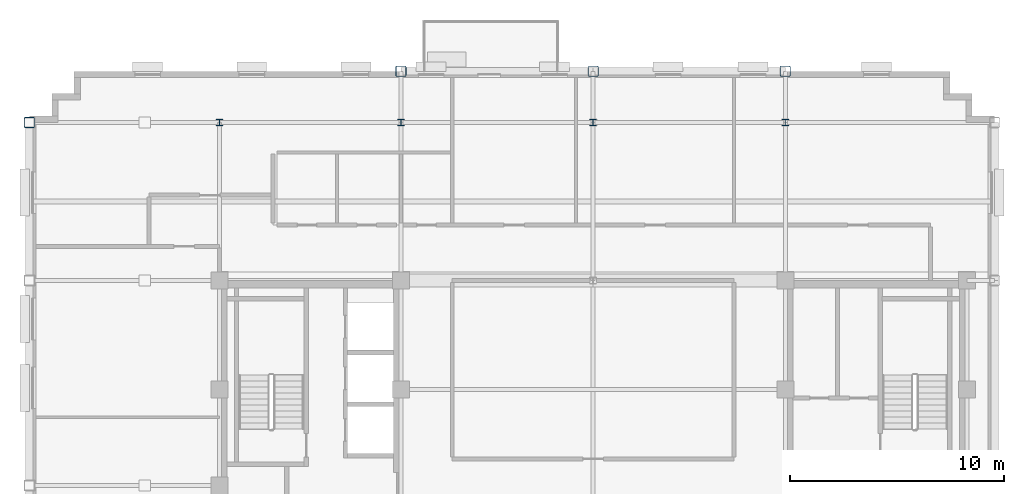
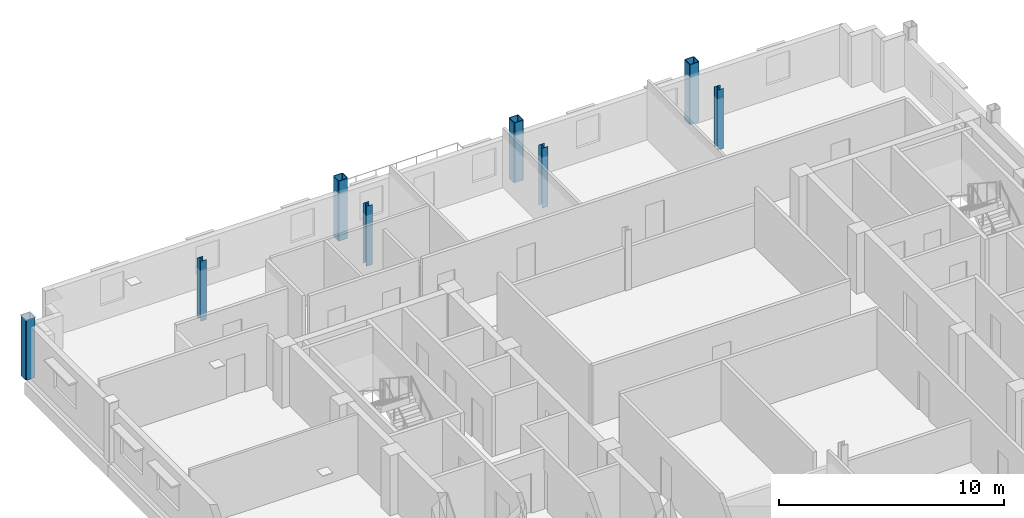
# One storey, part 3 of 14: 8 columns.
"""IFC4 building model written with IfcOpenShell, lengths in metres."""

from ifc_helpers import new_model, si_unit, direction, frame, origin, origin_2d, place, context, subcontext, project, spatial, hollow_rectangle, i_section, extrude, material, material_profile, profile_set, type_object, element, save


model = new_model("IFC4")

# Units and contexts
model_context = context("Model", 3, precision=1e-05, world=origin(), true_north=direction((0.0, 1.0)))
body_context = subcontext(model_context, "Body", "Model", "MODEL_VIEW")
ifc_project = project(units=[si_unit("LENGTHUNIT", "METRE"), si_unit("AREAUNIT", "SQUARE_METRE"), si_unit("VOLUMEUNIT", "CUBIC_METRE"), si_unit("PLANEANGLEUNIT", "RADIAN"), si_unit("MASSUNIT", "GRAM", prefix="KILO")], contexts=[model_context])

# Site, building, storey
site_placement = place(None, origin())
site = spatial("IfcSite", under=ifc_project, at=site_placement, CompositionType="ELEMENT")
building_placement = place(site_placement, origin())
building = spatial("IfcBuilding", under=site, at=building_placement, Name="Nuvemarco Arch Tower", CompositionType="ELEMENT")
storey_placement = place(building_placement, frame((0.0, 0.0, 242.0)))
storey = spatial("IfcBuildingStorey", under=building, at=storey_placement, Name="L64", CompositionType="ELEMENT", Elevation=242.0)

# Columns
ifc_material = material(Name="Steel S355", Category="steel")
ifc_material_profile_1 = material_profile(ifc_material, hollow_rectangle(XDim=0.5, YDim=0.5, WallThickness=0.031982421875, InnerFilletRadius=0.031982421875, OuterFilletRadius=0.06396484375, at=origin_2d()), Name="SHS500x500x32")
ifc_profile_set_1 = profile_set([ifc_material_profile_1], Name="Steel S355")
column_type_1 = type_object("IfcColumnType", Name="COL-EXO-500", PredefinedType="COLUMN", material=ifc_profile_set_1)
for number, where, z_axis, x_axis, name in (
    (1, (-26.39990234375, 17.0, 0.0), (0.0, 0.0, 1.0), (1.0, 0.0, 0.0), "L64 column CX_-26.4_+17.0"),
    (2, (-9.0, 19.39990234375, 0.0), (0.0, 0.0, 1.0), (1.0, 0.0, 0.0), "L64 column CY_-9.0_+19.4"),
    (3, (0.0, 19.39990234375, 0.0), (0.0, 0.0, 1.0), (1.0, 0.0, 0.0), "L64 column CY_+0.0_+19.4"),
    (4, (9.0, 19.39990234375, 0.0), (0.0, 0.0, 1.0), (1.0, 0.0, 0.0), "L64 column CY_+9.0_+19.4"),
):
    element("IfcColumn", number, at=place(storey_placement, frame(where, z_axis=z_axis, x_axis=x_axis)), inside=storey, type_object=column_type_1, Name=name, PredefinedType="COLUMN", context=body_context, shape_type="SweptSolid", body=[
        extrude(hollow_rectangle(XDim=0.5, YDim=0.5, WallThickness=0.031982421875, InnerFilletRadius=0.031982421875, OuterFilletRadius=0.06396484375, at=origin_2d()), origin(), (0.0, 0.0, 1.0), 3.25),
    ])
ifc_material_profile_2 = material_profile(ifc_material, i_section(OverallWidth=0.31005859375, OverallDepth=0.31005859375, WebThickness=0.015380859375, FlangeThickness=0.015380859375, FilletRadius=0.014892578125, at=origin_2d()), Name="HP310x110")
ifc_profile_set_2 = profile_set([ifc_material_profile_2], Name="Steel S355")
column_type_2 = type_object("IfcColumnType", Name="COL-STL-HP310", PredefinedType="COLUMN", material=ifc_profile_set_2)
for number, where, z_axis, x_axis, name in (
    (5, (0.0, 17.0, 0.0), (0.0, 0.0, 1.0), (1.0, 0.0, 0.0), "L64 column CI_+0.0_+17.0"),
    (6, (-17.5, 17.0, 0.0), (0.0, 0.0, 1.0), (1.0, 0.0, 0.0), "L64 column CI_-17.5_+17.0"),
    (7, (-9.0, 17.0, 0.0), (0.0, 0.0, 1.0), (1.0, 0.0, 0.0), "L64 column CI_-9.0_+17.0"),
    (8, (9.0, 17.0, 0.0), (0.0, 0.0, 1.0), (1.0, 0.0, 0.0), "L64 column CI_+9.0_+17.0"),
):
    element("IfcColumn", number, at=place(storey_placement, frame(where, z_axis=z_axis, x_axis=x_axis)), inside=storey, type_object=column_type_2, Name=name, PredefinedType="COLUMN", context=body_context, shape_type="SweptSolid", body=[
        extrude(i_section(OverallWidth=0.31005859375, OverallDepth=0.31005859375, WebThickness=0.015380859375, FlangeThickness=0.015380859375, FilletRadius=0.014892578125, at=origin_2d()), origin(), (0.0, 0.0, 1.0), 3.25),
    ])

save(model, "model.ifc")
